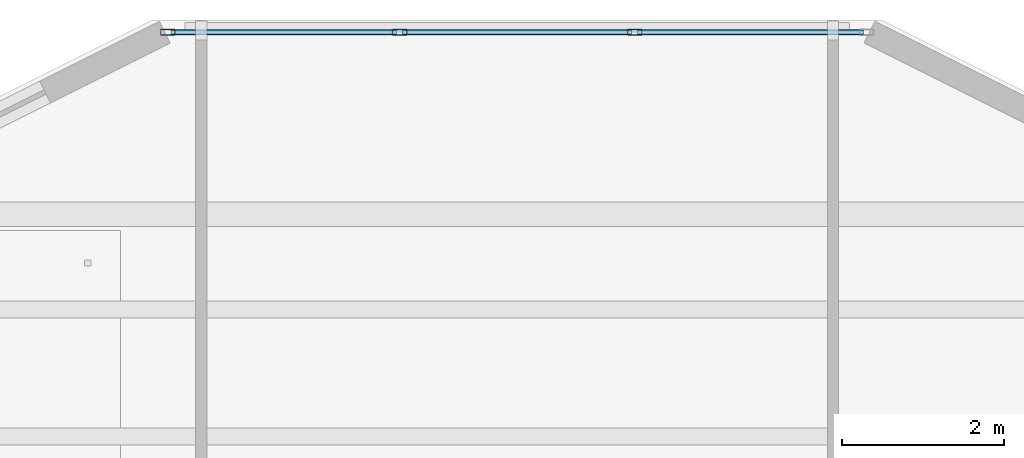
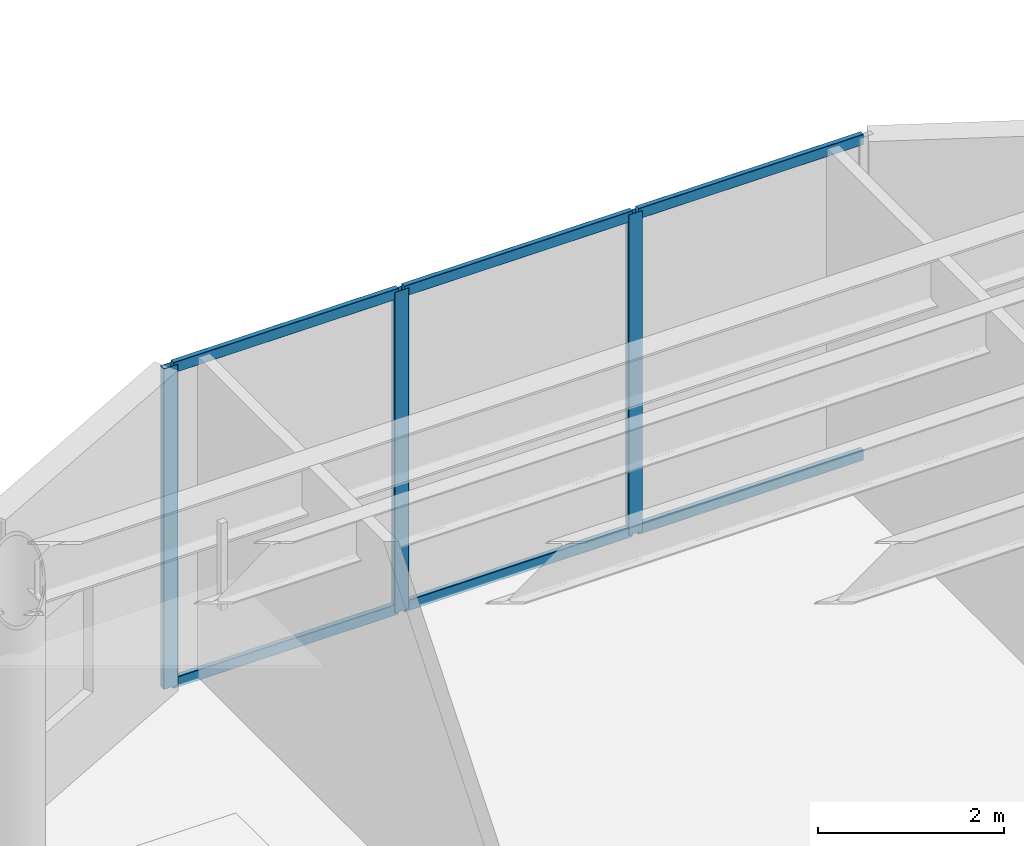
# One storey, part 23 of 40: 9 members, 1 element without a shape of its own.
"""IFC4 building model written with IfcOpenShell, lengths in metres."""

import ifcopenshell
import ifcopenshell.guid

model = None  # the IFC model being written
_history = None  # IfcOwnerHistory: only IFC2X3 demands one
_inside = {}  # id of a spatial element -> (the spatial element, [elements in it])
_under = {}  # id of a project, library or spatial element -> (it, [spatial elements below it])
_declared = {}  # id of a project -> (the project, [libraries it declares])
_typed = {}  # id of a type object -> (the type object, [elements of that type])
_made_of = {}  # id of a material, layer set ... -> (it, [elements and type objects made of it])


def new_model(schema):
    """Start an empty IFC model of exactly this schema.

    Asked for "IFC4X3", IfcOpenShell would pick the latest addendum, in which some entities
    have other attributes; the version numbers below select the first issue.
    IFC2X3 requires an IfcOwnerHistory on every rooted entity: one is made here for all.
    """
    global model, _history
    if schema == "IFC4X3":
        model = ifcopenshell.file(schema_version=(4, 3, 0, 0))
    else:
        model = ifcopenshell.file(schema=schema)
    _inside.clear()
    _under.clear()
    _declared.clear()
    _typed.clear()
    _made_of.clear()
    _history = None
    if model.schema == "IFC2X3":
        org = make("IfcOrganization", Name="unknown")
        user = make(
            "IfcPersonAndOrganization",
            ThePerson=make("IfcPerson", FamilyName="unknown"),
            TheOrganization=org,
        )
        app = make(
            "IfcApplication",
            ApplicationDeveloper=org,
            Version="unknown",
            ApplicationFullName="unknown",
            ApplicationIdentifier="unknown",
        )
        _history = make(
            "IfcOwnerHistory",
            OwningUser=user,
            OwningApplication=app,
            ChangeAction="ADDED",
            CreationDate=0,
        )
    return model


def make(cls, **values):
    """One entity of the class cls with the attributes given. An attribute that is None is left unset."""
    return model.create_entity(
        cls, **{name: value for name, value in values.items() if value is not None}
    )


def rooted(cls, **values):
    """An entity with a GlobalId (a new one), such as an element, a storey or a relation."""
    return make(cls, GlobalId=ifcopenshell.guid.new(), OwnerHistory=_history, **values)


def si_unit(unit_type, name, prefix=None):
    """IfcSIUnit, for example si_unit("LENGTHUNIT", "METRE", prefix="MILLI")."""
    return make("IfcSIUnit", UnitType=unit_type, Prefix=prefix, Name=name)


def assignment(units):
    """IfcUnitAssignment: the units of a project."""
    return None if units is None else make("IfcUnitAssignment", Units=units)


def point(xyz):
    """IfcCartesianPoint."""
    return None if xyz is None else make("IfcCartesianPoint", Coordinates=xyz)


def direction(xyz):
    """IfcDirection."""
    return None if xyz is None else make("IfcDirection", DirectionRatios=xyz)


def frame(location, z_axis=None, x_axis=None):
    """IfcAxis2Placement3D, a coordinate frame: its origin and axes. An axis left out is left unset."""
    return make(
        "IfcAxis2Placement3D",
        Location=point(location),
        Axis=direction(z_axis),
        RefDirection=direction(x_axis),
    )


def frame_2d(location, x_axis=None):
    """IfcAxis2Placement2D, a coordinate frame in the plane: its origin and x axis."""
    return make(
        "IfcAxis2Placement2D", Location=point(location), RefDirection=direction(x_axis)
    )


def origin():
    """The frame at (0, 0, 0) with its axes left unset."""
    return frame((0.0, 0.0, 0.0))


def origin_2d():
    """The frame at (0, 0) in the plane with its x axis left unset."""
    return frame_2d((0.0, 0.0))


def place(relative_to, where):
    """IfcLocalPlacement: puts the frame where relative to a parent placement (None: the world)."""
    return make(
        "IfcLocalPlacement", PlacementRelTo=relative_to, RelativePlacement=where
    )


def context(
    kind, dimensions, precision=None, world=None, true_north=None, identifier=None
):
    """IfcGeometricRepresentationContext, for example the 3D "Model" context."""
    return make(
        "IfcGeometricRepresentationContext",
        ContextIdentifier=identifier,
        ContextType=kind,
        CoordinateSpaceDimension=dimensions,
        Precision=precision,
        WorldCoordinateSystem=world,
        TrueNorth=true_north,
    )


def subcontext(parent, identifier, kind, view, scale=None):
    """IfcGeometricRepresentationSubContext, for example "Body" below "Model"."""
    return make(
        "IfcGeometricRepresentationSubContext",
        ContextIdentifier=identifier,
        ContextType=kind,
        ParentContext=parent,
        TargetScale=scale,
        TargetView=view,
    )


def project(units=None, contexts=None):
    """IfcProject with its units and contexts."""
    return rooted(
        "IfcProject",
        Name="project",
        RepresentationContexts=contexts,
        UnitsInContext=assignment(units),
    )


def spatial(cls, under=None, at=None, **own):
    """A site, building, storey or space (cls), placed at a placement, below another one or the project."""
    s = rooted(cls, ObjectPlacement=at, **own)
    if under is not None:
        _under.setdefault(under.id(), (under, []))[1].append(s)
    return s


def profile(cls, at=None, kind="AREA", **sizes):
    """A parametric profile (cls). Its sizes go by their IFC names, for example OverallWidth=200.0."""
    return make(cls, ProfileType=kind, Position=at, **sizes)


def hollow_rectangle(**sizes):
    """IfcRectangleHollowProfileDef."""
    return profile("IfcRectangleHollowProfileDef", **sizes)


def extrude(swept, where, along, depth):
    """IfcExtrudedAreaSolid: the profile swept, set in the frame where, extruded along a direction by depth."""
    return make(
        "IfcExtrudedAreaSolid",
        SweptArea=swept,
        Position=where,
        ExtrudedDirection=direction(along),
        Depth=depth,
    )


def shape(context_of_items, identifier, shape_type, items):
    """IfcShapeRepresentation: the items that make up one representation, for example the "Body"."""
    return make(
        "IfcShapeRepresentation",
        ContextOfItems=context_of_items,
        RepresentationIdentifier=identifier,
        RepresentationType=shape_type,
        Items=items,
    )


def material(Name=None, Category=None):
    """IfcMaterial."""
    return make("IfcMaterial", Name=Name, Category=Category)


def layer(
    of_material, thickness, ventilated=None, Name=None, Category=None, Priority=None
):
    """IfcMaterialLayer: one layer of a wall or slab, of a material (None: an air gap)."""
    return make(
        "IfcMaterialLayer",
        Material=of_material,
        LayerThickness=thickness,
        IsVentilated=ventilated,
        Name=Name,
        Category=Category,
        Priority=Priority,
    )


def layer_set(layers, Name=None):
    """IfcMaterialLayerSet."""
    return make("IfcMaterialLayerSet", MaterialLayers=layers, LayerSetName=Name)


def material_profile(
    of_material, cross_section, Name=None, Category=None, Priority=None
):
    """IfcMaterialProfile: a cross section and its material."""
    return make(
        "IfcMaterialProfile",
        Name=Name,
        Material=of_material,
        Profile=cross_section,
        Priority=Priority,
        Category=Category,
    )


def profile_set(profiles, Name=None, composite=None):
    """IfcMaterialProfileSet."""
    return make(
        "IfcMaterialProfileSet",
        Name=Name,
        MaterialProfiles=profiles,
        CompositeProfile=composite,
    )


def made_of(thing, what):
    """Note that an element or type object is made of a material, layer set ...; save() writes the relation."""
    if what is not None:
        _made_of.setdefault(what.id(), (what, []))[1].append(thing)
    return thing


def type_object(cls, material=None, **own):
    """A type object (cls), such as IfcWallType, which elements share."""
    return made_of(rooted(cls, **own), material)


def element(
    cls,
    number,
    at=None,
    inside=None,
    cuts=None,
    type_object=None,
    material=None,
    context=None,
    identifier="Body",
    shape_type=None,
    held_by="IfcProductDefinitionShape",
    body=None,
    shapes=None,
    **own,
):
    """One element of the class cls, such as IfcWall. Its Tag is "e" and its number.

    at: its placement. inside: the storey or other place that contains it. cuts: it is an
    opening in that element (IfcRelVoidsElement). A single representation is given by context,
    identifier, shape_type and body (its items); several are given by shapes. held_by: the class
    of the entity that holds the representations. save() writes the other relations.
    """
    e = rooted(cls, Tag="e%d" % number, ObjectPlacement=at, **own)
    if body is not None:
        shapes = [shape(context, identifier, shape_type, body)]
    if shapes is not None:
        e.Representation = make(held_by, Representations=shapes)
    if inside is not None:
        _inside.setdefault(inside.id(), (inside, []))[1].append(e)
    if cuts is not None:
        rooted(
            "IfcRelVoidsElement", RelatingBuildingElement=cuts, RelatedOpeningElement=e
        )
    if type_object is not None:
        _typed.setdefault(type_object.id(), (type_object, []))[1].append(e)
    return made_of(e, material)


def aggregate(whole, parts):
    """IfcRelAggregates: a whole, such as a stair, and the parts it consists of."""
    return rooted("IfcRelAggregates", RelatingObject=whole, RelatedObjects=parts)


def save(model, path):
    """Write the relations noted so far, then the file.

    IfcRelAggregates (storeys below a building ...), IfcRelContainedInSpatialStructure (elements
    in a storey), IfcRelDefinesByType, IfcRelAssociatesMaterial and IfcRelDeclares: one each for
    every whole, place, type object, material and project.
    """
    for whole, parts in _under.values():
        aggregate(whole, parts)
    for where, things in _inside.values():
        rooted(
            "IfcRelContainedInSpatialStructure",
            RelatedElements=things,
            RelatingStructure=where,
        )
    for kind, things in _typed.values():
        rooted("IfcRelDefinesByType", RelatedObjects=things, RelatingType=kind)
    for what, things in _made_of.values():
        rooted("IfcRelAssociatesMaterial", RelatedObjects=things, RelatingMaterial=what)
    for by, libraries in _declared.values():
        rooted("IfcRelDeclares", RelatingContext=by, RelatedDefinitions=libraries)
    model.write(path)


model = new_model("IFC4")

# Units and contexts
model_context = context("Model", 3, precision=1e-05, world=origin(), true_north=direction((0.0, 1.0)))
body_context = subcontext(model_context, "Body", "Model", "MODEL_VIEW")
ifc_project = project(units=[si_unit("LENGTHUNIT", "METRE"), si_unit("AREAUNIT", "SQUARE_METRE"), si_unit("VOLUMEUNIT", "CUBIC_METRE"), si_unit("PLANEANGLEUNIT", "RADIAN"), si_unit("MASSUNIT", "GRAM", prefix="KILO")], contexts=[model_context])

# Site, building, storey
site_placement = place(None, origin())
site = spatial("IfcSite", under=ifc_project, at=site_placement, CompositionType="ELEMENT")
building_placement = place(site_placement, origin())
building = spatial("IfcBuilding", under=site, at=building_placement, Name="Tarnavaz Court Tower", CompositionType="ELEMENT")
storey_placement = place(building_placement, frame((0.0, 0.0, 64.199951171875)))
storey = spatial("IfcBuildingStorey", under=building, at=storey_placement, Name="L17", CompositionType="ELEMENT", Elevation=64.199951171875)

# Curtain wall, members
ifc_material_1 = material(Name="Anodised Aluminium 6063-T6 and Solar Low-E Glazing", Category="aluminium")
ifc_layer = layer(ifc_material_1, 0.179931640625)
ifc_layer_set = layer_set([ifc_layer], Name="Anodised Aluminium 6063-T6 and Solar Low-E Glazing")
curtain_wall_type = type_object("IfcCurtainWallType", Name="CW-SYS-02", PredefinedType="NOTDEFINED", material=ifc_layer_set)
curtain_wall_placement = place(storey_placement, origin())
curtain_wall = element("IfcCurtainWall", 1, at=curtain_wall_placement, inside=storey, type_object=curtain_wall_type, Name="L17 Iwan Prow Curtain Wall 7", PredefinedType="NOTDEFINED")
ifc_material_2 = material(Name="Anodised Aluminium 6063-T6", Category="aluminium")
ifc_material_profile_1 = material_profile(ifc_material_2, hollow_rectangle(XDim=0.074951171875, YDim=0.179931640625, WallThickness=0.0048828125, InnerFilletRadius=0.0048828125, OuterFilletRadius=0.010009765625, at=origin_2d()), Name="ALU RHS 180X75X5")
ifc_profile_set_1 = profile_set([ifc_material_profile_1], Name="Anodised Aluminium 6063-T6")
member_type_1 = type_object("IfcMemberType", Name="CW-MUL-180", PredefinedType="MULLION", material=ifc_profile_set_1)
member_1_placement = place(storey_placement, frame((-4.3125, 25.050048828125, 0.0), z_axis=(0.0, 0.0, 1.0), x_axis=(0.0, 1.0, 0.0)))
member_1 = element("IfcMember", 2, at=member_1_placement, type_object=member_type_1, Name="CW mullion 1", PredefinedType="MULLION", context=body_context, shape_type="SweptSolid", body=[
    extrude(hollow_rectangle(XDim=0.074951171875, YDim=0.179931640625, WallThickness=0.0048828125, InnerFilletRadius=0.0048828125, OuterFilletRadius=0.010009765625, at=origin_2d()), origin(), (0.0, 0.0, 1.0), 4.199951171875),
])
member_2_placement = place(storey_placement, frame((-1.449951171875, 25.050048828125, 0.0), z_axis=(0.0, 0.0, 1.0), x_axis=(0.0, 1.0, 0.0)))
member_2 = element("IfcMember", 3, at=member_2_placement, type_object=member_type_1, Name="CW mullion 2", PredefinedType="MULLION", context=body_context, shape_type="SweptSolid", body=[
    extrude(hollow_rectangle(XDim=0.074951171875, YDim=0.179931640625, WallThickness=0.0048828125, InnerFilletRadius=0.0048828125, OuterFilletRadius=0.010009765625, at=origin_2d()), origin(), (0.0, 0.0, 1.0), 4.199951171875),
])
member_3_placement = place(storey_placement, frame((1.449951171875, 25.050048828125, 0.0), z_axis=(0.0, 0.0, 1.0), x_axis=(0.0, 1.0, 0.0)))
member_3 = element("IfcMember", 4, at=member_3_placement, type_object=member_type_1, Name="CW mullion 3", PredefinedType="MULLION", context=body_context, shape_type="SweptSolid", body=[
    extrude(hollow_rectangle(XDim=0.074951171875, YDim=0.179931640625, WallThickness=0.0048828125, InnerFilletRadius=0.0048828125, OuterFilletRadius=0.010009765625, at=origin_2d()), origin(), (0.0, 0.0, 1.0), 4.199951171875),
])
ifc_material_profile_2 = material_profile(ifc_material_2, hollow_rectangle(XDim=0.06494140625, YDim=0.139892578125, WallThickness=0.00390625, InnerFilletRadius=0.00390625, OuterFilletRadius=0.008056640625, at=origin_2d()), Name="ALU RHS 140X65X4")
ifc_profile_set_2 = profile_set([ifc_material_profile_2], Name="Anodised Aluminium 6063-T6")
member_type_2 = type_object("IfcMemberType", Name="CW-TRN-140", PredefinedType="USERDEFINED", material=ifc_profile_set_2)
member_4_placement = place(storey_placement, frame((-4.27490234375, 25.050048828125, 0.032470703125), z_axis=(1.0, 0.0, 0.0), x_axis=(0.0, 1.0, 0.0)))
member_4 = element("IfcMember", 5, at=member_4_placement, type_object=member_type_2, Name="CW transom 1.1", ObjectType="TRANSOM", PredefinedType="USERDEFINED", context=body_context, shape_type="SweptSolid", body=[
    extrude(hollow_rectangle(XDim=0.06494140625, YDim=0.139892578125, WallThickness=0.00390625, InnerFilletRadius=0.00390625, OuterFilletRadius=0.008056640625, at=origin_2d()), origin(), (0.0, 0.0, 1.0), 2.787353515625),
])
member_5_placement = place(storey_placement, frame((-4.27490234375, 25.050048828125, 4.16748046875), z_axis=(1.0, 0.0, 0.0), x_axis=(0.0, 1.0, 0.0)))
member_5 = element("IfcMember", 6, at=member_5_placement, type_object=member_type_2, Name="CW transom 1.2", ObjectType="TRANSOM", PredefinedType="USERDEFINED", context=body_context, shape_type="SweptSolid", body=[
    extrude(hollow_rectangle(XDim=0.06494140625, YDim=0.139892578125, WallThickness=0.00390625, InnerFilletRadius=0.00390625, OuterFilletRadius=0.008056640625, at=origin_2d()), origin(), (0.0, 0.0, 1.0), 2.787353515625),
])
member_6_placement = place(storey_placement, frame((-1.41259765625, 25.050048828125, 0.032470703125), z_axis=(1.0, 0.0, 0.0), x_axis=(0.0, 1.0, 0.0)))
member_6 = element("IfcMember", 7, at=member_6_placement, type_object=member_type_2, Name="CW transom 2.1", ObjectType="TRANSOM", PredefinedType="USERDEFINED", context=body_context, shape_type="SweptSolid", body=[
    extrude(hollow_rectangle(XDim=0.06494140625, YDim=0.139892578125, WallThickness=0.00390625, InnerFilletRadius=0.00390625, OuterFilletRadius=0.008056640625, at=origin_2d()), origin(), (0.0, 0.0, 1.0), 2.8251953125),
])
member_7_placement = place(storey_placement, frame((-1.41259765625, 25.050048828125, 4.16748046875), z_axis=(1.0, 0.0, 0.0), x_axis=(0.0, 1.0, 0.0)))
member_7 = element("IfcMember", 8, at=member_7_placement, type_object=member_type_2, Name="CW transom 2.2", ObjectType="TRANSOM", PredefinedType="USERDEFINED", context=body_context, shape_type="SweptSolid", body=[
    extrude(hollow_rectangle(XDim=0.06494140625, YDim=0.139892578125, WallThickness=0.00390625, InnerFilletRadius=0.00390625, OuterFilletRadius=0.008056640625, at=origin_2d()), origin(), (0.0, 0.0, 1.0), 2.8251953125),
])
member_8_placement = place(storey_placement, frame((1.487548828125, 25.050048828125, 0.032470703125), z_axis=(1.0, 0.0, 0.0), x_axis=(0.0, 1.0, 0.0)))
member_8 = element("IfcMember", 9, at=member_8_placement, type_object=member_type_2, Name="CW transom 3.1", ObjectType="TRANSOM", PredefinedType="USERDEFINED", context=body_context, shape_type="SweptSolid", body=[
    extrude(hollow_rectangle(XDim=0.06494140625, YDim=0.139892578125, WallThickness=0.00390625, InnerFilletRadius=0.00390625, OuterFilletRadius=0.008056640625, at=origin_2d()), origin(), (0.0, 0.0, 1.0), 2.787353515625),
])
member_9_placement = place(storey_placement, frame((1.487548828125, 25.050048828125, 4.16748046875), z_axis=(1.0, 0.0, 0.0), x_axis=(0.0, 1.0, 0.0)))
member_9 = element("IfcMember", 10, at=member_9_placement, type_object=member_type_2, Name="CW transom 3.2", ObjectType="TRANSOM", PredefinedType="USERDEFINED", context=body_context, shape_type="SweptSolid", body=[
    extrude(hollow_rectangle(XDim=0.06494140625, YDim=0.139892578125, WallThickness=0.00390625, InnerFilletRadius=0.00390625, OuterFilletRadius=0.008056640625, at=origin_2d()), origin(), (0.0, 0.0, 1.0), 2.787353515625),
])
aggregate(curtain_wall, [member_1, member_2, member_3, member_4, member_5, member_6, member_7, member_8, member_9])

save(model, "model.ifc")
